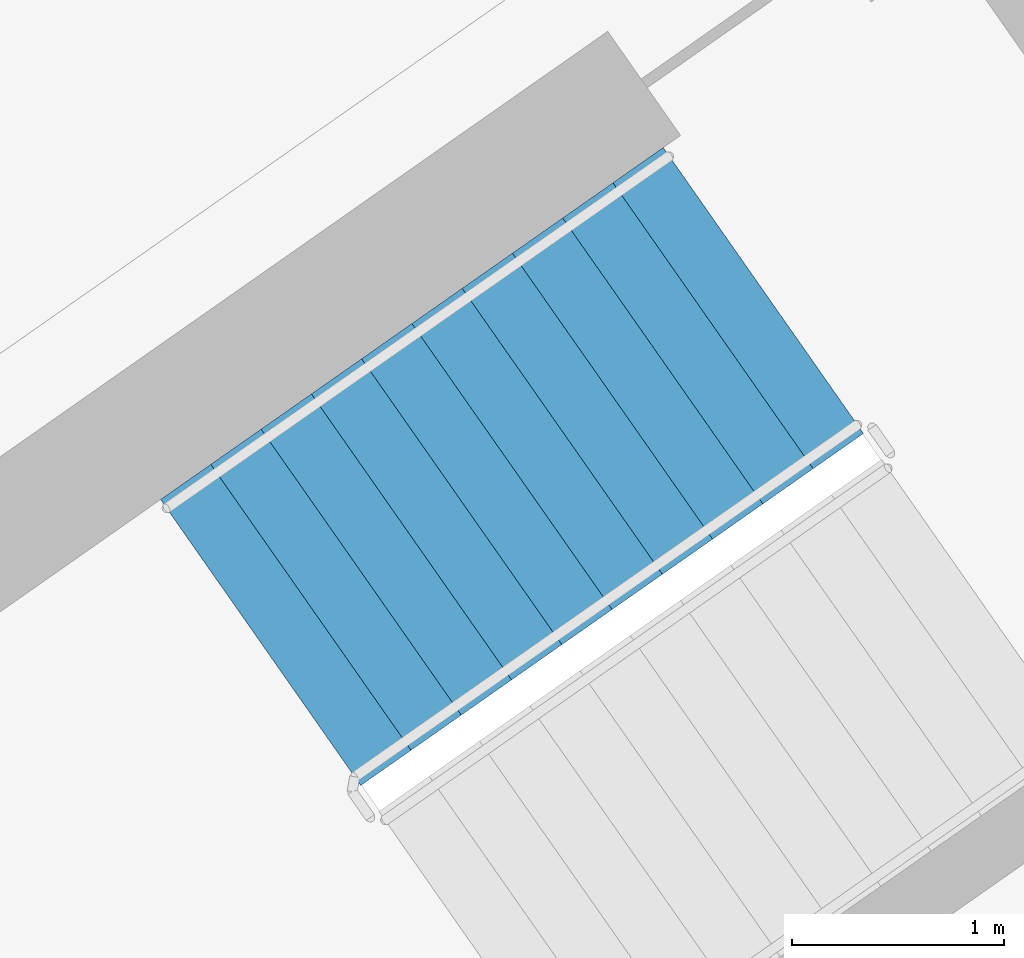
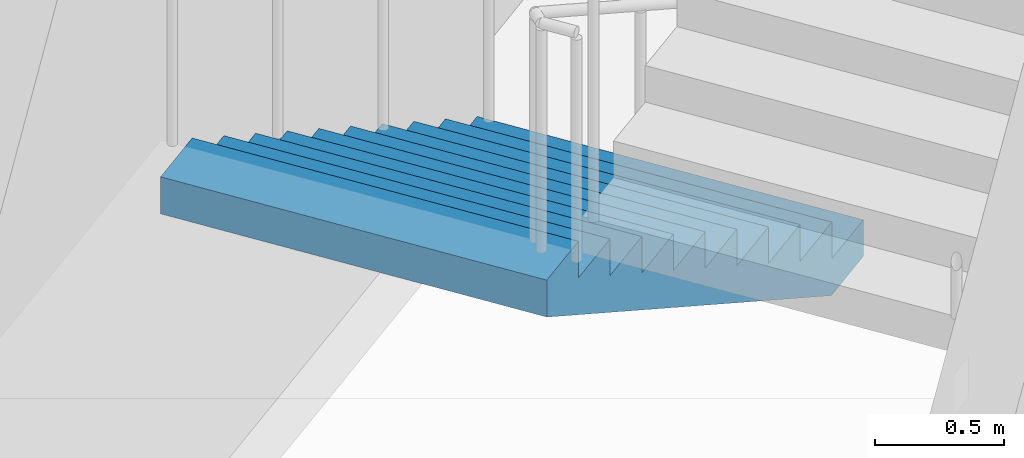
# One storey, part 16 of 27: 1 stair flight, 1 element without a shape of its own.
"""IFC4 building model written with IfcOpenShell, lengths in metres."""

from ifc_helpers import new_model, si_unit, direction, frame, origin, place, context, subcontext, project, spatial, faceted_brep, material, type_object, element, aggregate, save


model = new_model("IFC4")

# Units and contexts
model_context = context("Model", 3, precision=1e-05, world=origin(), true_north=direction((0.0, 1.0)))
body_context = subcontext(model_context, "Body", "Model", "MODEL_VIEW")
ifc_project = project(units=[si_unit("LENGTHUNIT", "METRE"), si_unit("AREAUNIT", "SQUARE_METRE"), si_unit("VOLUMEUNIT", "CUBIC_METRE"), si_unit("PLANEANGLEUNIT", "RADIAN"), si_unit("MASSUNIT", "GRAM", prefix="KILO")], contexts=[model_context])

# Site, building, storey
site_placement = place(None, origin())
site = spatial("IfcSite", under=ifc_project, at=site_placement, CompositionType="ELEMENT")
building_placement = place(site_placement, origin())
building = spatial("IfcBuilding", under=site, at=building_placement, Name="Qamariyya Broadcast Tower", CompositionType="ELEMENT")
storey_placement = place(building_placement, frame((0.0, 0.0, 194.89990234375)))
storey = spatial("IfcBuildingStorey", under=building, at=storey_placement, Name="L46", CompositionType="ELEMENT", Elevation=194.89990234375)

# Stair, stair flight
ifc_material = material(Name="Concrete C50/60", Category="concrete")
stair_type = type_object("IfcStairType", Name="Exit stair 22 risers of 173 mm", PredefinedType="HALF_TURN_STAIR", material=ifc_material)
stair_placement = place(storey_placement, origin())
stair = element("IfcStair", 1, at=stair_placement, inside=storey, type_object=stair_type, Name="L46 Stair E2", PredefinedType="HALF_TURN_STAIR")
stair_flight_type = type_object("IfcStairFlightType", Name="Exit stair flight 11 risers of 173 mm", PredefinedType="STRAIGHT", material=ifc_material)
stair_flight_placement = place(storey_placement, frame((40.558837890625, -47.685302734375, 0.0), z_axis=(0.0, 0.0, 1.0), x_axis=(-0.819152044289, -0.573576436351, 0.0)))
stair_flight = element("IfcStairFlight", 2, at=stair_flight_placement, type_object=stair_flight_type, Name="ST-E2 flight 1", NumberOfRisers=11, NumberOfTreads=10, PredefinedType="STRAIGHT", RiserHeight=0.172727273, TreadLength=0.29, context=body_context, shape_type="Brep", body=[
    faceted_brep([(0.0, 0.824951171875, 0.0), (0.0, 0.824951171875, 0.172607421875), (0.2900390625, 0.824951171875, 0.172607421875), (0.2900390625, 0.824951171875, 0.345458984375), (0.580078125, 0.824951171875, 0.345458984375), (0.580078125, 0.824951171875, 0.51806640625), (0.8701171875, 0.824951171875, 0.51806640625), (0.8701171875, 0.824951171875, 0.69091796875), (1.159912109375, 0.824951171875, 0.69091796875), (1.159912109375, 0.824951171875, 0.863525390625), (1.449951171875, 0.824951171875, 0.863525390625), (1.449951171875, 0.824951171875, 1.036376953125), (1.739990234375, 0.824951171875, 1.036376953125), (1.739990234375, 0.824951171875, 1.208984375), (2.030029296875, 0.824951171875, 1.208984375), (2.030029296875, 0.824951171875, 1.3818359375), (2.320068359375, 0.824951171875, 1.3818359375), (2.320068359375, 0.824951171875, 1.554443359375), (2.610107421875, 0.824951171875, 1.554443359375), (2.610107421875, 0.824951171875, 1.727294921875), (2.89990234375, 0.824951171875, 1.727294921875), (2.89990234375, 0.824951171875, 1.552734375), (0.29296875, 0.824951171875, 0.0), (0.29296875, -0.824951171875, 0.0), (2.89990234375, -0.824951171875, 1.552734375), (2.89990234375, -0.824951171875, 1.727294921875), (2.610107421875, -0.824951171875, 1.727294921875), (2.610107421875, -0.824951171875, 1.554443359375), (2.320068359375, -0.824951171875, 1.554443359375), (2.320068359375, -0.824951171875, 1.3818359375), (2.030029296875, -0.824951171875, 1.3818359375), (2.030029296875, -0.824951171875, 1.208984375), (1.739990234375, -0.824951171875, 1.208984375), (1.739990234375, -0.824951171875, 1.036376953125), (1.449951171875, -0.824951171875, 1.036376953125), (1.449951171875, -0.824951171875, 0.863525390625), (1.159912109375, -0.824951171875, 0.863525390625), (1.159912109375, -0.824951171875, 0.69091796875), (0.8701171875, -0.824951171875, 0.69091796875), (0.8701171875, -0.824951171875, 0.51806640625), (0.580078125, -0.824951171875, 0.51806640625), (0.580078125, -0.824951171875, 0.345458984375), (0.2900390625, -0.824951171875, 0.345458984375), (0.2900390625, -0.824951171875, 0.172607421875), (0.0, -0.824951171875, 0.172607421875), (0.0, -0.824951171875, 0.0), (0.0, 0.10009765625, 0.0), (0.0, 0.086669921875, 0.0), (0.0, 0.0732421875, 0.0), (0.0, 0.06005859375, 0.0), (0.0, 0.046630859375, 0.0), (0.0, 0.033447265625, 0.0), (0.0, 0.02001953125, 0.0), (0.0, 0.006591796875, 0.0), (0.0, -0.006591796875, 0.0), (0.0, -0.02001953125, 0.0), (0.0, -0.033447265625, 0.0), (0.0, -0.046630859375, 0.0), (0.0, -0.06005859375, 0.0), (0.0, -0.0732421875, 0.0), (0.0, -0.086669921875, 0.0), (0.0, -0.10009765625, 0.0), (0.0, -0.10009765625, 0.172607421875), (0.0, -0.086669921875, 0.172607421875), (0.0, -0.0732421875, 0.172607421875), (0.0, -0.06005859375, 0.172607421875), (0.0, -0.046630859375, 0.172607421875), (0.0, -0.033447265625, 0.172607421875), (0.0, -0.02001953125, 0.172607421875), (0.0, -0.006591796875, 0.172607421875), (0.0, 0.006591796875, 0.172607421875), (0.0, 0.02001953125, 0.172607421875), (0.0, 0.033447265625, 0.172607421875), (0.0, 0.046630859375, 0.172607421875), (0.0, 0.06005859375, 0.172607421875), (0.0, 0.0732421875, 0.172607421875), (0.0, 0.086669921875, 0.172607421875), (0.0, 0.10009765625, 0.172607421875), (0.2900390625, -0.10009765625, 0.172607421875), (0.2900390625, -0.086669921875, 0.172607421875), (0.2900390625, -0.0732421875, 0.172607421875), (0.2900390625, -0.06005859375, 0.172607421875), (0.2900390625, -0.046630859375, 0.172607421875), (0.2900390625, -0.033447265625, 0.172607421875), (0.2900390625, -0.02001953125, 0.172607421875), (0.2900390625, -0.006591796875, 0.172607421875), (0.2900390625, 0.006591796875, 0.172607421875), (0.2900390625, 0.02001953125, 0.172607421875), (0.2900390625, 0.033447265625, 0.172607421875), (0.2900390625, 0.046630859375, 0.172607421875), (0.2900390625, 0.06005859375, 0.172607421875), (0.2900390625, 0.0732421875, 0.172607421875), (0.2900390625, 0.086669921875, 0.172607421875), (0.2900390625, 0.10009765625, 0.172607421875), (0.2900390625, -0.10009765625, 0.345458984375), (0.2900390625, -0.086669921875, 0.345458984375), (0.2900390625, -0.0732421875, 0.345458984375), (0.2900390625, -0.06005859375, 0.345458984375), (0.2900390625, -0.046630859375, 0.345458984375), (0.2900390625, -0.033447265625, 0.345458984375), (0.2900390625, -0.02001953125, 0.345458984375), (0.2900390625, -0.006591796875, 0.345458984375), (0.2900390625, 0.006591796875, 0.345458984375), (0.2900390625, 0.02001953125, 0.345458984375), (0.2900390625, 0.033447265625, 0.345458984375), (0.2900390625, 0.046630859375, 0.345458984375), (0.2900390625, 0.06005859375, 0.345458984375), (0.2900390625, 0.0732421875, 0.345458984375), (0.2900390625, 0.086669921875, 0.345458984375), (0.2900390625, 0.10009765625, 0.345458984375), (0.580078125, -0.10009765625, 0.345458984375), (0.580078125, -0.086669921875, 0.345458984375), (0.580078125, -0.0732421875, 0.345458984375), (0.580078125, -0.06005859375, 0.345458984375), (0.580078125, -0.046630859375, 0.345458984375), (0.580078125, -0.033447265625, 0.345458984375), (0.580078125, -0.02001953125, 0.345458984375), (0.580078125, -0.006591796875, 0.345458984375), (0.580078125, 0.006591796875, 0.345458984375), (0.580078125, 0.02001953125, 0.345458984375), (0.580078125, 0.033447265625, 0.345458984375), (0.580078125, 0.046630859375, 0.345458984375), (0.580078125, 0.06005859375, 0.345458984375), (0.580078125, 0.0732421875, 0.345458984375), (0.580078125, 0.086669921875, 0.345458984375), (0.580078125, 0.10009765625, 0.345458984375), (0.580078125, -0.10009765625, 0.51806640625), (0.580078125, -0.086669921875, 0.51806640625), (0.580078125, -0.0732421875, 0.51806640625), (0.580078125, -0.06005859375, 0.51806640625), (0.580078125, -0.046630859375, 0.51806640625), (0.580078125, -0.033447265625, 0.51806640625), (0.580078125, -0.02001953125, 0.51806640625), (0.580078125, -0.006591796875, 0.51806640625), (0.580078125, 0.006591796875, 0.51806640625), (0.580078125, 0.02001953125, 0.51806640625), (0.580078125, 0.033447265625, 0.51806640625), (0.580078125, 0.046630859375, 0.51806640625), (0.580078125, 0.06005859375, 0.51806640625), (0.580078125, 0.0732421875, 0.51806640625), (0.580078125, 0.086669921875, 0.51806640625), (0.580078125, 0.10009765625, 0.51806640625), (0.8701171875, -0.10009765625, 0.51806640625), (0.8701171875, -0.086669921875, 0.51806640625), (0.8701171875, -0.0732421875, 0.51806640625), (0.8701171875, -0.06005859375, 0.51806640625), (0.8701171875, -0.046630859375, 0.51806640625), (0.8701171875, -0.033447265625, 0.51806640625), (0.8701171875, -0.02001953125, 0.51806640625), (0.8701171875, -0.006591796875, 0.51806640625), (0.8701171875, 0.006591796875, 0.51806640625), (0.8701171875, 0.02001953125, 0.51806640625), (0.8701171875, 0.033447265625, 0.51806640625), (0.8701171875, 0.046630859375, 0.51806640625), (0.8701171875, 0.06005859375, 0.51806640625), (0.8701171875, 0.0732421875, 0.51806640625), (0.8701171875, 0.086669921875, 0.51806640625), (0.8701171875, 0.10009765625, 0.51806640625), (0.8701171875, -0.10009765625, 0.69091796875), (0.8701171875, -0.086669921875, 0.69091796875), (0.8701171875, -0.0732421875, 0.69091796875), (0.8701171875, -0.06005859375, 0.69091796875), (0.8701171875, -0.046630859375, 0.69091796875), (0.8701171875, -0.033447265625, 0.69091796875), (0.8701171875, -0.02001953125, 0.69091796875), (0.8701171875, -0.006591796875, 0.69091796875), (0.8701171875, 0.006591796875, 0.69091796875), (0.8701171875, 0.02001953125, 0.69091796875), (0.8701171875, 0.033447265625, 0.69091796875), (0.8701171875, 0.046630859375, 0.69091796875), (0.8701171875, 0.06005859375, 0.69091796875), (0.8701171875, 0.0732421875, 0.69091796875), (0.8701171875, 0.086669921875, 0.69091796875), (0.8701171875, 0.10009765625, 0.69091796875), (1.159912109375, -0.10009765625, 0.69091796875), (1.159912109375, -0.086669921875, 0.69091796875), (1.159912109375, -0.0732421875, 0.69091796875), (1.159912109375, -0.06005859375, 0.69091796875), (1.159912109375, -0.046630859375, 0.69091796875), (1.159912109375, -0.033447265625, 0.69091796875), (1.159912109375, -0.02001953125, 0.69091796875), (1.159912109375, -0.006591796875, 0.69091796875), (1.159912109375, 0.006591796875, 0.69091796875), (1.159912109375, 0.02001953125, 0.69091796875), (1.159912109375, 0.033447265625, 0.69091796875), (1.159912109375, 0.046630859375, 0.69091796875), (1.159912109375, 0.06005859375, 0.69091796875), (1.159912109375, 0.0732421875, 0.69091796875), (1.159912109375, 0.086669921875, 0.69091796875), (1.159912109375, 0.10009765625, 0.69091796875), (1.159912109375, -0.10009765625, 0.863525390625), (1.159912109375, -0.086669921875, 0.863525390625), (1.159912109375, -0.0732421875, 0.863525390625), (1.159912109375, -0.06005859375, 0.863525390625), (1.159912109375, -0.046630859375, 0.863525390625), (1.159912109375, -0.033447265625, 0.863525390625), (1.159912109375, -0.02001953125, 0.863525390625), (1.159912109375, -0.006591796875, 0.863525390625), (1.159912109375, 0.006591796875, 0.863525390625), (1.159912109375, 0.02001953125, 0.863525390625), (1.159912109375, 0.033447265625, 0.863525390625), (1.159912109375, 0.046630859375, 0.863525390625), (1.159912109375, 0.06005859375, 0.863525390625), (1.159912109375, 0.0732421875, 0.863525390625), (1.159912109375, 0.086669921875, 0.863525390625), (1.159912109375, 0.10009765625, 0.863525390625), (1.449951171875, -0.10009765625, 0.863525390625), (1.449951171875, -0.086669921875, 0.863525390625), (1.449951171875, -0.0732421875, 0.863525390625), (1.449951171875, -0.06005859375, 0.863525390625), (1.449951171875, -0.046630859375, 0.863525390625), (1.449951171875, -0.033447265625, 0.863525390625), (1.449951171875, -0.02001953125, 0.863525390625), (1.449951171875, -0.006591796875, 0.863525390625), (1.449951171875, 0.006591796875, 0.863525390625), (1.449951171875, 0.02001953125, 0.863525390625), (1.449951171875, 0.033447265625, 0.863525390625), (1.449951171875, 0.046630859375, 0.863525390625), (1.449951171875, 0.06005859375, 0.863525390625), (1.449951171875, 0.0732421875, 0.863525390625), (1.449951171875, 0.086669921875, 0.863525390625), (1.449951171875, 0.10009765625, 0.863525390625), (1.449951171875, -0.10009765625, 1.036376953125), (1.449951171875, -0.086669921875, 1.036376953125), (1.449951171875, -0.0732421875, 1.036376953125), (1.449951171875, -0.06005859375, 1.036376953125), (1.449951171875, -0.046630859375, 1.036376953125), (1.449951171875, -0.033447265625, 1.036376953125), (1.449951171875, -0.02001953125, 1.036376953125), (1.449951171875, -0.006591796875, 1.036376953125), (1.449951171875, 0.006591796875, 1.036376953125), (1.449951171875, 0.02001953125, 1.036376953125), (1.449951171875, 0.033447265625, 1.036376953125), (1.449951171875, 0.046630859375, 1.036376953125), (1.449951171875, 0.06005859375, 1.036376953125), (1.449951171875, 0.0732421875, 1.036376953125), (1.449951171875, 0.086669921875, 1.036376953125), (1.449951171875, 0.10009765625, 1.036376953125), (1.739990234375, -0.10009765625, 1.036376953125), (1.739990234375, -0.086669921875, 1.036376953125), (1.739990234375, -0.0732421875, 1.036376953125), (1.739990234375, -0.06005859375, 1.036376953125), (1.739990234375, -0.046630859375, 1.036376953125), (1.739990234375, -0.033447265625, 1.036376953125), (1.739990234375, -0.02001953125, 1.036376953125), (1.739990234375, -0.006591796875, 1.036376953125), (1.739990234375, 0.006591796875, 1.036376953125), (1.739990234375, 0.02001953125, 1.036376953125), (1.739990234375, 0.033447265625, 1.036376953125), (1.739990234375, 0.046630859375, 1.036376953125), (1.739990234375, 0.06005859375, 1.036376953125), (1.739990234375, 0.0732421875, 1.036376953125), (1.739990234375, 0.086669921875, 1.036376953125), (1.739990234375, 0.10009765625, 1.036376953125), (1.739990234375, -0.10009765625, 1.208984375), (1.739990234375, -0.086669921875, 1.208984375), (1.739990234375, -0.0732421875, 1.208984375), (1.739990234375, -0.06005859375, 1.208984375), (1.739990234375, -0.046630859375, 1.208984375), (1.739990234375, -0.033447265625, 1.208984375), (1.739990234375, -0.02001953125, 1.208984375), (1.739990234375, -0.006591796875, 1.208984375), (1.739990234375, 0.006591796875, 1.208984375), (1.739990234375, 0.02001953125, 1.208984375), (1.739990234375, 0.033447265625, 1.208984375), (1.739990234375, 0.046630859375, 1.208984375), (1.739990234375, 0.06005859375, 1.208984375), (1.739990234375, 0.0732421875, 1.208984375), (1.739990234375, 0.086669921875, 1.208984375), (1.739990234375, 0.10009765625, 1.208984375), (2.030029296875, -0.10009765625, 1.208984375), (2.030029296875, -0.086669921875, 1.208984375), (2.030029296875, -0.0732421875, 1.208984375), (2.030029296875, -0.06005859375, 1.208984375), (2.030029296875, -0.046630859375, 1.208984375), (2.030029296875, -0.033447265625, 1.208984375), (2.030029296875, -0.02001953125, 1.208984375), (2.030029296875, -0.006591796875, 1.208984375), (2.030029296875, 0.006591796875, 1.208984375), (2.030029296875, 0.02001953125, 1.208984375), (2.030029296875, 0.033447265625, 1.208984375), (2.030029296875, 0.046630859375, 1.208984375), (2.030029296875, 0.06005859375, 1.208984375), (2.030029296875, 0.0732421875, 1.208984375), (2.030029296875, 0.086669921875, 1.208984375), (2.030029296875, 0.10009765625, 1.208984375), (2.030029296875, -0.10009765625, 1.3818359375), (2.030029296875, -0.086669921875, 1.3818359375), (2.030029296875, -0.0732421875, 1.3818359375), (2.030029296875, -0.06005859375, 1.3818359375), (2.030029296875, -0.046630859375, 1.3818359375), (2.030029296875, -0.033447265625, 1.3818359375), (2.030029296875, -0.02001953125, 1.3818359375), (2.030029296875, -0.006591796875, 1.3818359375), (2.030029296875, 0.006591796875, 1.3818359375), (2.030029296875, 0.02001953125, 1.3818359375), (2.030029296875, 0.033447265625, 1.3818359375), (2.030029296875, 0.046630859375, 1.3818359375), (2.030029296875, 0.06005859375, 1.3818359375), (2.030029296875, 0.0732421875, 1.3818359375), (2.030029296875, 0.086669921875, 1.3818359375), (2.030029296875, 0.10009765625, 1.3818359375), (2.320068359375, -0.10009765625, 1.3818359375), (2.320068359375, -0.086669921875, 1.3818359375), (2.320068359375, -0.0732421875, 1.3818359375), (2.320068359375, -0.06005859375, 1.3818359375), (2.320068359375, -0.046630859375, 1.3818359375), (2.320068359375, -0.033447265625, 1.3818359375), (2.320068359375, -0.02001953125, 1.3818359375), (2.320068359375, -0.006591796875, 1.3818359375), (2.320068359375, 0.006591796875, 1.3818359375), (2.320068359375, 0.02001953125, 1.3818359375), (2.320068359375, 0.033447265625, 1.3818359375), (2.320068359375, 0.046630859375, 1.3818359375), (2.320068359375, 0.06005859375, 1.3818359375), (2.320068359375, 0.0732421875, 1.3818359375), (2.320068359375, 0.086669921875, 1.3818359375), (2.320068359375, 0.10009765625, 1.3818359375), (2.320068359375, -0.10009765625, 1.554443359375), (2.320068359375, -0.086669921875, 1.554443359375), (2.320068359375, -0.0732421875, 1.554443359375), (2.320068359375, -0.06005859375, 1.554443359375), (2.320068359375, -0.046630859375, 1.554443359375), (2.320068359375, -0.033447265625, 1.554443359375), (2.320068359375, -0.02001953125, 1.554443359375), (2.320068359375, -0.006591796875, 1.554443359375), (2.320068359375, 0.006591796875, 1.554443359375), (2.320068359375, 0.02001953125, 1.554443359375), (2.320068359375, 0.033447265625, 1.554443359375), (2.320068359375, 0.046630859375, 1.554443359375), (2.320068359375, 0.06005859375, 1.554443359375), (2.320068359375, 0.0732421875, 1.554443359375), (2.320068359375, 0.086669921875, 1.554443359375), (2.320068359375, 0.10009765625, 1.554443359375), (2.610107421875, -0.10009765625, 1.554443359375), (2.610107421875, -0.086669921875, 1.554443359375), (2.610107421875, -0.0732421875, 1.554443359375), (2.610107421875, -0.06005859375, 1.554443359375), (2.610107421875, -0.046630859375, 1.554443359375), (2.610107421875, -0.033447265625, 1.554443359375), (2.610107421875, -0.02001953125, 1.554443359375), (2.610107421875, -0.006591796875, 1.554443359375), (2.610107421875, 0.006591796875, 1.554443359375), (2.610107421875, 0.02001953125, 1.554443359375), (2.610107421875, 0.033447265625, 1.554443359375), (2.610107421875, 0.046630859375, 1.554443359375), (2.610107421875, 0.06005859375, 1.554443359375), (2.610107421875, 0.0732421875, 1.554443359375), (2.610107421875, 0.086669921875, 1.554443359375), (2.610107421875, 0.10009765625, 1.554443359375), (2.610107421875, -0.10009765625, 1.727294921875), (2.610107421875, -0.086669921875, 1.727294921875), (2.610107421875, -0.0732421875, 1.727294921875), (2.610107421875, -0.06005859375, 1.727294921875), (2.610107421875, -0.046630859375, 1.727294921875), (2.610107421875, -0.033447265625, 1.727294921875), (2.610107421875, -0.02001953125, 1.727294921875), (2.610107421875, -0.006591796875, 1.727294921875), (2.610107421875, 0.006591796875, 1.727294921875), (2.610107421875, 0.02001953125, 1.727294921875), (2.610107421875, 0.033447265625, 1.727294921875), (2.610107421875, 0.046630859375, 1.727294921875), (2.610107421875, 0.06005859375, 1.727294921875), (2.610107421875, 0.0732421875, 1.727294921875), (2.610107421875, 0.086669921875, 1.727294921875), (2.610107421875, 0.10009765625, 1.727294921875), (2.89990234375, -0.10009765625, 1.727294921875), (2.89990234375, -0.086669921875, 1.727294921875), (2.89990234375, -0.0732421875, 1.727294921875), (2.89990234375, -0.06005859375, 1.727294921875), (2.89990234375, -0.046630859375, 1.727294921875), (2.89990234375, -0.033447265625, 1.727294921875), (2.89990234375, -0.02001953125, 1.727294921875), (2.89990234375, -0.006591796875, 1.727294921875), (2.89990234375, 0.006591796875, 1.727294921875), (2.89990234375, 0.02001953125, 1.727294921875), (2.89990234375, 0.033447265625, 1.727294921875), (2.89990234375, 0.046630859375, 1.727294921875), (2.89990234375, 0.06005859375, 1.727294921875), (2.89990234375, 0.0732421875, 1.727294921875), (2.89990234375, 0.086669921875, 1.727294921875), (2.89990234375, 0.10009765625, 1.727294921875), (2.89990234375, -0.10009765625, 1.552734375), (2.89990234375, -0.086669921875, 1.552734375), (2.89990234375, -0.0732421875, 1.552734375), (2.89990234375, -0.06005859375, 1.552734375), (2.89990234375, -0.046630859375, 1.552734375), (2.89990234375, -0.033447265625, 1.552734375), (2.89990234375, -0.02001953125, 1.552734375), (2.89990234375, -0.006591796875, 1.552734375), (2.89990234375, 0.006591796875, 1.552734375), (2.89990234375, 0.02001953125, 1.552734375), (2.89990234375, 0.033447265625, 1.552734375), (2.89990234375, 0.046630859375, 1.552734375), (2.89990234375, 0.06005859375, 1.552734375), (2.89990234375, 0.0732421875, 1.552734375), (2.89990234375, 0.086669921875, 1.552734375), (2.89990234375, 0.10009765625, 1.552734375), (0.29296875, -0.10009765625, 0.0), (0.29296875, -0.086669921875, 0.0), (0.29296875, -0.0732421875, 0.0), (0.29296875, -0.06005859375, 0.0), (0.29296875, -0.046630859375, 0.0), (0.29296875, -0.033447265625, 0.0), (0.29296875, -0.02001953125, 0.0), (0.29296875, -0.006591796875, 0.0), (0.29296875, 0.006591796875, 0.0), (0.29296875, 0.02001953125, 0.0), (0.29296875, 0.033447265625, 0.0), (0.29296875, 0.046630859375, 0.0), (0.29296875, 0.06005859375, 0.0), (0.29296875, 0.0732421875, 0.0), (0.29296875, 0.086669921875, 0.0), (0.29296875, 0.10009765625, 0.0)], [[[0, 1, 2, 3, 4, 5, 6, 7, 8, 9, 10, 11, 12, 13, 14, 15, 16, 17, 18, 19, 20, 21, 22]], [[23, 24, 25, 26, 27, 28, 29, 30, 31, 32, 33, 34, 35, 36, 37, 38, 39, 40, 41, 42, 43, 44, 45]], [[0, 46, 47, 48, 49, 50, 51, 52, 53, 54, 55, 56, 57, 58, 59, 60, 61, 45, 44, 62, 63, 64, 65, 66, 67, 68, 69, 70, 71, 72, 73, 74, 75, 76, 77, 1]], [[1, 77, 76, 75, 74, 73, 72, 71, 70, 69, 68, 67, 66, 65, 64, 63, 62, 44, 43, 78, 79, 80, 81, 82, 83, 84, 85, 86, 87, 88, 89, 90, 91, 92, 93, 2]], [[2, 93, 92, 91, 90, 89, 88, 87, 86, 85, 84, 83, 82, 81, 80, 79, 78, 43, 42, 94, 95, 96, 97, 98, 99, 100, 101, 102, 103, 104, 105, 106, 107, 108, 109, 3]], [[3, 109, 108, 107, 106, 105, 104, 103, 102, 101, 100, 99, 98, 97, 96, 95, 94, 42, 41, 110, 111, 112, 113, 114, 115, 116, 117, 118, 119, 120, 121, 122, 123, 124, 125, 4]], [[4, 125, 124, 123, 122, 121, 120, 119, 118, 117, 116, 115, 114, 113, 112, 111, 110, 41, 40, 126, 127, 128, 129, 130, 131, 132, 133, 134, 135, 136, 137, 138, 139, 140, 141, 5]], [[5, 141, 140, 139, 138, 137, 136, 135, 134, 133, 132, 131, 130, 129, 128, 127, 126, 40, 39, 142, 143, 144, 145, 146, 147, 148, 149, 150, 151, 152, 153, 154, 155, 156, 157, 6]], [[6, 157, 156, 155, 154, 153, 152, 151, 150, 149, 148, 147, 146, 145, 144, 143, 142, 39, 38, 158, 159, 160, 161, 162, 163, 164, 165, 166, 167, 168, 169, 170, 171, 172, 173, 7]], [[7, 173, 172, 171, 170, 169, 168, 167, 166, 165, 164, 163, 162, 161, 160, 159, 158, 38, 37, 174, 175, 176, 177, 178, 179, 180, 181, 182, 183, 184, 185, 186, 187, 188, 189, 8]], [[8, 189, 188, 187, 186, 185, 184, 183, 182, 181, 180, 179, 178, 177, 176, 175, 174, 37, 36, 190, 191, 192, 193, 194, 195, 196, 197, 198, 199, 200, 201, 202, 203, 204, 205, 9]], [[9, 205, 204, 203, 202, 201, 200, 199, 198, 197, 196, 195, 194, 193, 192, 191, 190, 36, 35, 206, 207, 208, 209, 210, 211, 212, 213, 214, 215, 216, 217, 218, 219, 220, 221, 10]], [[10, 221, 220, 219, 218, 217, 216, 215, 214, 213, 212, 211, 210, 209, 208, 207, 206, 35, 34, 222, 223, 224, 225, 226, 227, 228, 229, 230, 231, 232, 233, 234, 235, 236, 237, 11]], [[11, 237, 236, 235, 234, 233, 232, 231, 230, 229, 228, 227, 226, 225, 224, 223, 222, 34, 33, 238, 239, 240, 241, 242, 243, 244, 245, 246, 247, 248, 249, 250, 251, 252, 253, 12]], [[12, 253, 252, 251, 250, 249, 248, 247, 246, 245, 244, 243, 242, 241, 240, 239, 238, 33, 32, 254, 255, 256, 257, 258, 259, 260, 261, 262, 263, 264, 265, 266, 267, 268, 269, 13]], [[13, 269, 268, 267, 266, 265, 264, 263, 262, 261, 260, 259, 258, 257, 256, 255, 254, 32, 31, 270, 271, 272, 273, 274, 275, 276, 277, 278, 279, 280, 281, 282, 283, 284, 285, 14]], [[14, 285, 284, 283, 282, 281, 280, 279, 278, 277, 276, 275, 274, 273, 272, 271, 270, 31, 30, 286, 287, 288, 289, 290, 291, 292, 293, 294, 295, 296, 297, 298, 299, 300, 301, 15]], [[15, 301, 300, 299, 298, 297, 296, 295, 294, 293, 292, 291, 290, 289, 288, 287, 286, 30, 29, 302, 303, 304, 305, 306, 307, 308, 309, 310, 311, 312, 313, 314, 315, 316, 317, 16]], [[16, 317, 316, 315, 314, 313, 312, 311, 310, 309, 308, 307, 306, 305, 304, 303, 302, 29, 28, 318, 319, 320, 321, 322, 323, 324, 325, 326, 327, 328, 329, 330, 331, 332, 333, 17]], [[17, 333, 332, 331, 330, 329, 328, 327, 326, 325, 324, 323, 322, 321, 320, 319, 318, 28, 27, 334, 335, 336, 337, 338, 339, 340, 341, 342, 343, 344, 345, 346, 347, 348, 349, 18]], [[18, 349, 348, 347, 346, 345, 344, 343, 342, 341, 340, 339, 338, 337, 336, 335, 334, 27, 26, 350, 351, 352, 353, 354, 355, 356, 357, 358, 359, 360, 361, 362, 363, 364, 365, 19]], [[19, 365, 364, 363, 362, 361, 360, 359, 358, 357, 356, 355, 354, 353, 352, 351, 350, 26, 25, 366, 367, 368, 369, 370, 371, 372, 373, 374, 375, 376, 377, 378, 379, 380, 381, 20]], [[20, 381, 380, 379, 378, 377, 376, 375, 374, 373, 372, 371, 370, 369, 368, 367, 366, 25, 24, 382, 383, 384, 385, 386, 387, 388, 389, 390, 391, 392, 393, 394, 395, 396, 397, 21]], [[21, 397, 396, 395, 394, 393, 392, 391, 390, 389, 388, 387, 386, 385, 384, 383, 382, 24, 23, 398, 399, 400, 401, 402, 403, 404, 405, 406, 407, 408, 409, 410, 411, 412, 413, 22]], [[22, 413, 412, 411, 410, 409, 408, 407, 406, 405, 404, 403, 402, 401, 400, 399, 398, 23, 45, 61, 60, 59, 58, 57, 56, 55, 54, 53, 52, 51, 50, 49, 48, 47, 46, 0]]]),
])
aggregate(stair, [stair_flight])

save(model, "model.ifc")
